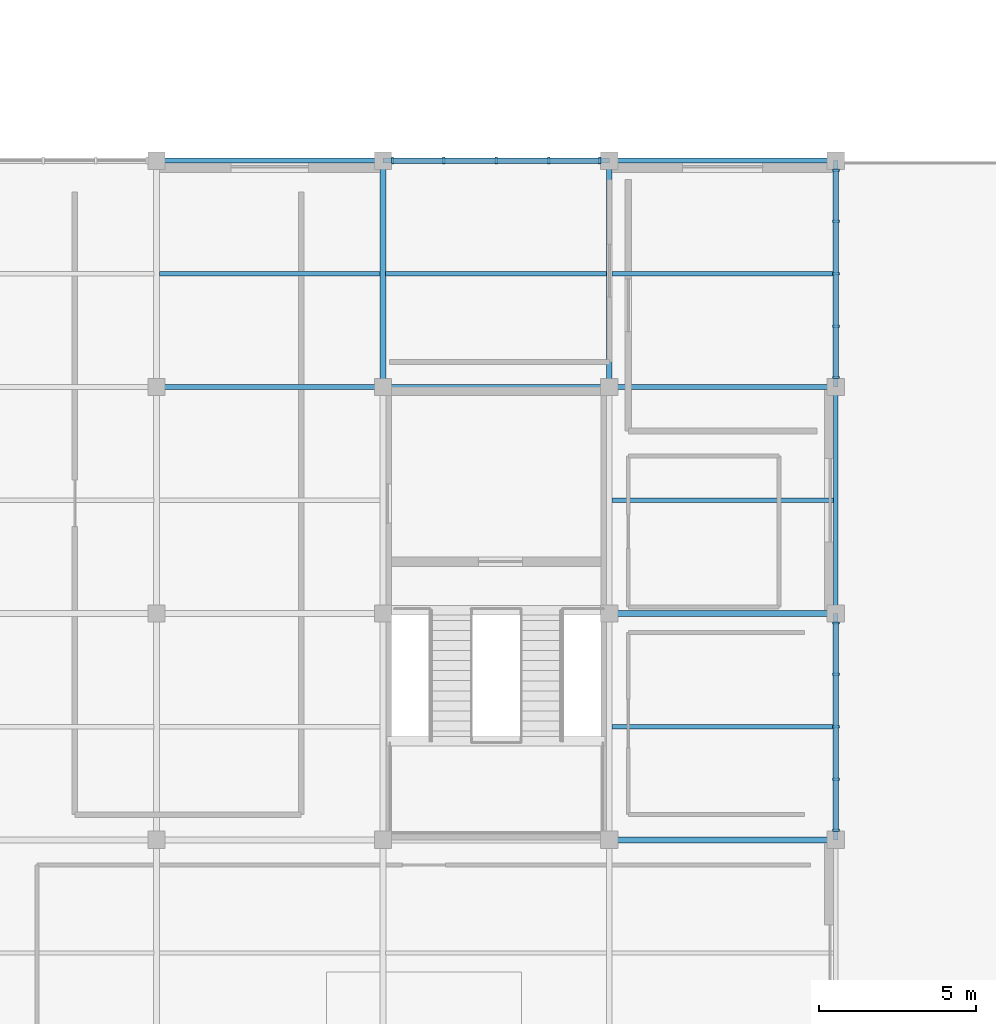
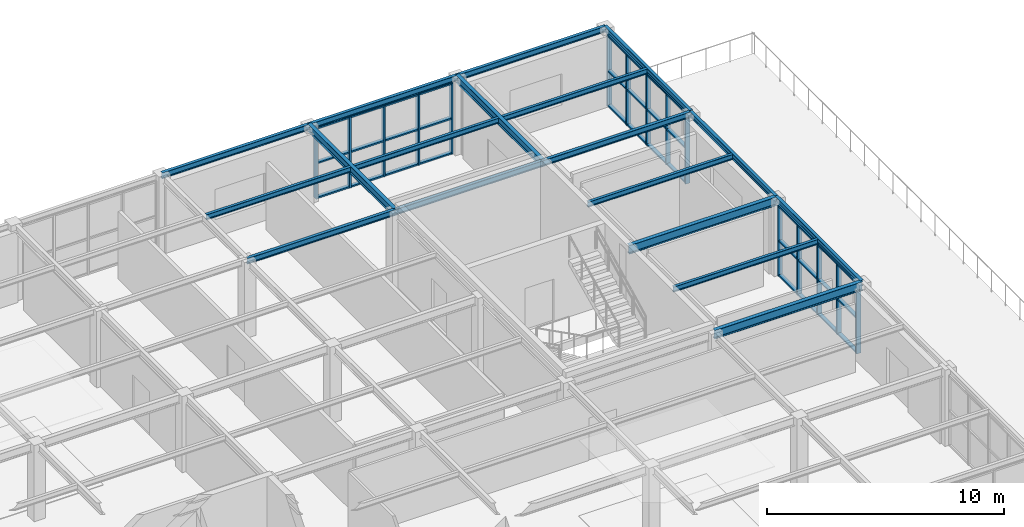
# One storey, part 37 of 64: 24 members, 18 beams, 3 elements without a shape of their own.
"""IFC4 building model written with IfcOpenShell, lengths in metres."""

from ifc_helpers import new_model, si_unit, direction, frame, origin, origin_2d, place, context, subcontext, project, spatial, rectangle, i_section, extrude, material, material_profile, profile_set, type_object, element, aggregate, save


model = new_model("IFC4")

# Units and contexts
model_context = context("Model", 3, precision=1e-05, world=origin(), true_north=direction((0.0, 1.0)))
body_context = subcontext(model_context, "Body", "Model", "MODEL_VIEW")
ifc_project = project(units=[si_unit("LENGTHUNIT", "METRE"), si_unit("AREAUNIT", "SQUARE_METRE"), si_unit("VOLUMEUNIT", "CUBIC_METRE"), si_unit("PLANEANGLEUNIT", "RADIAN"), si_unit("MASSUNIT", "GRAM", prefix="KILO")], contexts=[model_context])

# Site, building, storey
site_placement = place(None, origin())
site = spatial("IfcSite", under=ifc_project, at=site_placement, CompositionType="ELEMENT")
building_placement = place(site_placement, origin())
building = spatial("IfcBuilding", under=site, at=building_placement, Name="Leyfeld Transit Interchange", CompositionType="ELEMENT")
storey_placement = place(building_placement, frame((0.0, 0.0, 9.60009765625)))
storey = spatial("IfcBuildingStorey", under=building, at=storey_placement, Name="L02", CompositionType="ELEMENT", Elevation=9.60009765625)

# Beams
ifc_material_1 = material(Name="Steel S355J2", Category="steel")
ifc_material_profile_1 = material_profile(ifc_material_1, i_section(OverallWidth=0.135009765625, OverallDepth=0.27001953125, WebThickness=0.006591796875, FlangeThickness=0.01025390625, FilletRadius=0.014892578125, at=origin_2d()), Name="IPE 270")
ifc_profile_set_1 = profile_set([ifc_material_profile_1], Name="Steel S355J2")
beam_type_1 = type_object("IfcBeamType", Name="BM-STL-IPE270", PredefinedType="BEAM", material=ifc_profile_set_1)
for number, where, z_axis, x_axis, name in (
    (1, (172.886962890625, 75.60009765625, 3.784912109375), (1.0, 0.0, 0.0), (0.0, 1.0, 0.0), "Beam BM-L02-1729_0756-1799_0756"),
    (2, (172.886962890625, 82.800048828125, 3.784912109375), (1.0, 0.0, 0.0), (0.0, 1.0, 0.0), "Beam BM-L02-1729_0828-1799_0828"),
):
    element("IfcBeam", number, at=place(storey_placement, frame(where, z_axis=z_axis, x_axis=x_axis)), inside=storey, type_object=beam_type_1, Name=name, PredefinedType="BEAM", context=body_context, shape_type="SweptSolid", body=[
        extrude(i_section(OverallWidth=0.135009765625, OverallDepth=0.27001953125, WebThickness=0.006591796875, FlangeThickness=0.01025390625, FilletRadius=0.014892578125, at=origin_2d()), origin(), (0.0, 0.0, 1.0), 7.041015625),
    ])
for number, where, z_axis, x_axis, name in (
    (3, (158.487060546875, 90.0, 3.81494140625), (1.0, 0.0, 0.0), (0.0, 1.0, 0.0), "Beam BM-L02-1585_0900-1655_0900"),
    (4, (165.68701171875, 90.0, 3.81494140625), (1.0, 0.0, 0.0), (0.0, 1.0, 0.0), "Beam BM-L02-1657_0900-1727_0900"),
):
    element("IfcBeam", number, at=place(storey_placement, frame(where, z_axis=z_axis, x_axis=x_axis)), inside=storey, type_object=beam_type_1, Name=name, PredefinedType="BEAM", context=body_context, shape_type="SweptSolid", body=[
        extrude(i_section(OverallWidth=0.135009765625, OverallDepth=0.27001953125, WebThickness=0.006591796875, FlangeThickness=0.01025390625, FilletRadius=0.014892578125, at=origin_2d()), origin(), (0.0, 0.0, 1.0), 7.02587890625),
    ])
beam_1_placement = place(storey_placement, frame((172.886962890625, 90.0, 3.81494140625), z_axis=(1.0, 0.0, 0.0), x_axis=(0.0, 1.0, 0.0)))
element("IfcBeam", 5, at=beam_1_placement, inside=storey, type_object=beam_type_1, Name="Beam BM-L02-1729_0900-1799_0900", PredefinedType="BEAM", context=body_context, shape_type="SweptSolid", body=[
    extrude(i_section(OverallWidth=0.135009765625, OverallDepth=0.27001953125, WebThickness=0.006591796875, FlangeThickness=0.01025390625, FilletRadius=0.014892578125, at=origin_2d()), origin(), (0.0, 0.0, 1.0), 7.041015625),
])
ifc_material_profile_2 = material_profile(ifc_material_1, i_section(OverallWidth=0.14990234375, OverallDepth=0.300048828125, WebThickness=0.007080078125, FlangeThickness=0.0107421875, FilletRadius=0.014892578125, at=origin_2d()), Name="IPE 300")
ifc_profile_set_2 = profile_set([ifc_material_profile_2], Name="Steel S355J2")
beam_type_2 = type_object("IfcBeamType", Name="BM-STL-IPE300", PredefinedType="SPANDREL", material=ifc_profile_set_2)
for number, where, z_axis, x_axis, name in (
    (6, (180.0, 72.0, 3.77001953125), (0.0, 1.0, 0.0), (-1.0, 0.0, 0.0), "Beam BM-L02-1800_0720-1800_0792"),
    (7, (180.0, 79.199951171875, 3.77001953125), (0.0, 1.0, 0.0), (-1.0, 0.0, 0.0), "Beam BM-L02-1800_0792-1800_0864"),
):
    element("IfcBeam", number, at=place(storey_placement, frame(where, z_axis=z_axis, x_axis=x_axis)), inside=storey, type_object=beam_type_2, Name=name, PredefinedType="SPANDREL", context=body_context, shape_type="SweptSolid", body=[
        extrude(i_section(OverallWidth=0.14990234375, OverallDepth=0.300048828125, WebThickness=0.007080078125, FlangeThickness=0.0107421875, FilletRadius=0.014892578125, at=origin_2d()), origin(), (0.0, 0.0, 1.0), 7.199951171875),
    ])
beam_2_placement = place(storey_placement, frame((158.39990234375, 86.39990234375, 3.77001953125), z_axis=(1.0, 0.0, 0.0), x_axis=(0.0, 1.0, 0.0)))
element("IfcBeam", 8, at=beam_2_placement, inside=storey, type_object=beam_type_2, Name="Beam BM-L02-1584_0864-1656_0864", PredefinedType="SPANDREL", context=body_context, shape_type="SweptSolid", body=[
    extrude(i_section(OverallWidth=0.14990234375, OverallDepth=0.300048828125, WebThickness=0.007080078125, FlangeThickness=0.0107421875, FilletRadius=0.014892578125, at=origin_2d()), origin(), (0.0, 0.0, 1.0), 7.2001953125),
])
for number, where, z_axis, x_axis, name in (
    (9, (165.60009765625, 86.39990234375, 3.77001953125), (1.0, 0.0, 0.0), (0.0, 1.0, 0.0), "Beam BM-L02-1656_0864-1728_0864"),
    (10, (172.800048828125, 86.39990234375, 3.77001953125), (1.0, 0.0, 0.0), (0.0, 1.0, 0.0), "Beam BM-L02-1728_0864-1800_0864"),
):
    element("IfcBeam", number, at=place(storey_placement, frame(where, z_axis=z_axis, x_axis=x_axis)), inside=storey, type_object=beam_type_2, Name=name, PredefinedType="SPANDREL", context=body_context, shape_type="SweptSolid", body=[
        extrude(i_section(OverallWidth=0.14990234375, OverallDepth=0.300048828125, WebThickness=0.007080078125, FlangeThickness=0.0107421875, FilletRadius=0.014892578125, at=origin_2d()), origin(), (0.0, 0.0, 1.0), 7.199951171875),
    ])
for number, where, z_axis, x_axis, name in (
    (11, (180.0, 86.39990234375, 3.7998046875), (0.0, 1.0, 0.0), (-1.0, 0.0, 0.0), "Beam BM-L02-1800_0864-1800_0936"),
    (12, (158.39990234375, 93.60009765625, 3.7998046875), (1.0, 0.0, 0.0), (0.0, 1.0, 0.0), "Beam BM-L02-1584_0936-1656_0936"),
):
    element("IfcBeam", number, at=place(storey_placement, frame(where, z_axis=z_axis, x_axis=x_axis)), inside=storey, type_object=beam_type_2, Name=name, PredefinedType="SPANDREL", context=body_context, shape_type="SweptSolid", body=[
        extrude(i_section(OverallWidth=0.14990234375, OverallDepth=0.300048828125, WebThickness=0.007080078125, FlangeThickness=0.0107421875, FilletRadius=0.014892578125, at=origin_2d()), origin(), (0.0, 0.0, 1.0), 7.2001953125),
    ])
for number, where, z_axis, x_axis, name in (
    (13, (165.60009765625, 93.60009765625, 3.7998046875), (1.0, 0.0, 0.0), (0.0, 1.0, 0.0), "Beam BM-L02-1656_0936-1728_0936"),
    (14, (172.800048828125, 93.60009765625, 3.7998046875), (1.0, 0.0, 0.0), (0.0, 1.0, 0.0), "Beam BM-L02-1728_0936-1800_0936"),
):
    element("IfcBeam", number, at=place(storey_placement, frame(where, z_axis=z_axis, x_axis=x_axis)), inside=storey, type_object=beam_type_2, Name=name, PredefinedType="SPANDREL", context=body_context, shape_type="SweptSolid", body=[
        extrude(i_section(OverallWidth=0.14990234375, OverallDepth=0.300048828125, WebThickness=0.007080078125, FlangeThickness=0.0107421875, FilletRadius=0.014892578125, at=origin_2d()), origin(), (0.0, 0.0, 1.0), 7.199951171875),
    ])
ifc_material_profile_3 = material_profile(ifc_material_1, i_section(OverallWidth=0.179931640625, OverallDepth=0.39990234375, WebThickness=0.008544921875, FlangeThickness=0.013427734375, FilletRadius=0.02099609375, at=origin_2d()), Name="IPE 400")
ifc_profile_set_3 = profile_set([ifc_material_profile_3], Name="Steel S355J2")
beam_type_3 = type_object("IfcBeamType", Name="BM-STL-IPE400", PredefinedType="BEAM", material=ifc_profile_set_3)
for number, where, z_axis, x_axis, name in (
    (15, (165.60009765625, 86.39990234375, 3.75), (0.0, 1.0, 0.0), (-1.0, 0.0, 0.0), "Beam BM-L02-1656_0864-1656_0936"),
    (16, (172.800048828125, 86.39990234375, 3.75), (0.0, 1.0, 0.0), (-1.0, 0.0, 0.0), "Beam BM-L02-1728_0864-1728_0936"),
):
    element("IfcBeam", number, at=place(storey_placement, frame(where, z_axis=z_axis, x_axis=x_axis)), inside=storey, type_object=beam_type_3, Name=name, PredefinedType="BEAM", context=body_context, shape_type="SweptSolid", body=[
        extrude(i_section(OverallWidth=0.179931640625, OverallDepth=0.39990234375, WebThickness=0.008544921875, FlangeThickness=0.013427734375, FilletRadius=0.02099609375, at=origin_2d()), origin(), (0.0, 0.0, 1.0), 7.2001953125),
    ])
ifc_material_profile_4 = material_profile(ifc_material_1, i_section(OverallWidth=0.18994140625, OverallDepth=0.449951171875, WebThickness=0.009521484375, FlangeThickness=0.0146484375, FilletRadius=0.02099609375, at=origin_2d()), Name="IPE 450")
ifc_profile_set_4 = profile_set([ifc_material_profile_4], Name="Steel S355J2")
beam_type_4 = type_object("IfcBeamType", Name="BM-STL-IPE450", PredefinedType="BEAM", material=ifc_profile_set_4)
for number, where, z_axis, x_axis, name in (
    (17, (172.800048828125, 72.0, 3.69482421875), (1.0, 0.0, 0.0), (0.0, 1.0, 0.0), "Beam BM-L02-1728_0720-1800_0720"),
    (18, (172.800048828125, 79.199951171875, 3.69482421875), (1.0, 0.0, 0.0), (0.0, 1.0, 0.0), "Beam BM-L02-1728_0792-1800_0792"),
):
    element("IfcBeam", number, at=place(storey_placement, frame(where, z_axis=z_axis, x_axis=x_axis)), inside=storey, type_object=beam_type_4, Name=name, PredefinedType="BEAM", context=body_context, shape_type="SweptSolid", body=[
        extrude(i_section(OverallWidth=0.18994140625, OverallDepth=0.449951171875, WebThickness=0.009521484375, FlangeThickness=0.0146484375, FilletRadius=0.02099609375, at=origin_2d()), origin(), (0.0, 0.0, 1.0), 7.199951171875),
    ])

# Curtain wall, members
ifc_material_2 = material(Name="Anodised aluminium EN AW-6060 T66", Category="aluminium")
curtain_wall_type = type_object("IfcCurtainWallType", Name="CW-SYS-BUS-7200", PredefinedType="NOTDEFINED", material=ifc_material_2)
curtain_wall_1_placement = place(storey_placement, origin())
curtain_wall_1 = element("IfcCurtainWall", 19, at=curtain_wall_1_placement, inside=storey, type_object=curtain_wall_type, Name="Curtain Wall CW-L02-114", PredefinedType="NOTDEFINED")
ifc_material_profile_5 = material_profile(ifc_material_2, rectangle(XDim=0.074951171875, YDim=0.219970703125, at=origin_2d()), Name="CW-M 75x220")
ifc_profile_set_5 = profile_set([ifc_material_profile_5], Name="Anodised aluminium EN AW-6060 T66")
member_type_1 = type_object("IfcMemberType", Name="CW-MUL-180x70", PredefinedType="MULLION", material=ifc_profile_set_5)
member_1_placement = place(storey_placement, frame((165.902587890625, 93.60009765625, 0.0), z_axis=(0.0, 0.0, 1.0), x_axis=(1.0, 0.0, 0.0)))
member_1 = element("IfcMember", 20, at=member_1_placement, type_object=member_type_1, Name="Curtain Mullion CW-L02-114-M01", PredefinedType="MULLION", context=body_context, shape_type="SweptSolid", body=[
    extrude(rectangle(XDim=0.074951171875, YDim=0.219970703125, at=origin_2d()), origin(), (0.0, 0.0, 1.0), 3.64990234375),
])
member_2_placement = place(storey_placement, frame((167.532470703125, 93.60009765625, 0.0), z_axis=(0.0, 0.0, 1.0), x_axis=(1.0, 0.0, 0.0)))
member_2 = element("IfcMember", 21, at=member_2_placement, type_object=member_type_1, Name="Curtain Mullion CW-L02-114-M02", PredefinedType="MULLION", context=body_context, shape_type="SweptSolid", body=[
    extrude(rectangle(XDim=0.074951171875, YDim=0.219970703125, at=origin_2d()), origin(), (0.0, 0.0, 1.0), 3.64990234375),
])
member_3_placement = place(storey_placement, frame((169.199951171875, 93.60009765625, 0.0), z_axis=(0.0, 0.0, 1.0), x_axis=(1.0, 0.0, 0.0)))
member_3 = element("IfcMember", 22, at=member_3_placement, type_object=member_type_1, Name="Curtain Mullion CW-L02-114-M03", PredefinedType="MULLION", context=body_context, shape_type="SweptSolid", body=[
    extrude(rectangle(XDim=0.074951171875, YDim=0.219970703125, at=origin_2d()), origin(), (0.0, 0.0, 1.0), 3.64990234375),
])
member_4_placement = place(storey_placement, frame((170.867431640625, 93.60009765625, 0.0), z_axis=(0.0, 0.0, 1.0), x_axis=(1.0, 0.0, 0.0)))
member_4 = element("IfcMember", 23, at=member_4_placement, type_object=member_type_1, Name="Curtain Mullion CW-L02-114-M04", PredefinedType="MULLION", context=body_context, shape_type="SweptSolid", body=[
    extrude(rectangle(XDim=0.074951171875, YDim=0.219970703125, at=origin_2d()), origin(), (0.0, 0.0, 1.0), 3.64990234375),
])
member_5_placement = place(storey_placement, frame((172.49755859375, 93.60009765625, 0.0), z_axis=(0.0, 0.0, 1.0), x_axis=(1.0, 0.0, 0.0)))
member_5 = element("IfcMember", 24, at=member_5_placement, type_object=member_type_1, Name="Curtain Mullion CW-L02-114-M05", PredefinedType="MULLION", context=body_context, shape_type="SweptSolid", body=[
    extrude(rectangle(XDim=0.074951171875, YDim=0.219970703125, at=origin_2d()), origin(), (0.0, 0.0, 1.0), 3.64990234375),
])

curtain_wall_2_placement = place(storey_placement, origin())
curtain_wall_2 = element("IfcCurtainWall", 25, at=curtain_wall_2_placement, inside=storey, type_object=curtain_wall_type, Name="Curtain Wall CW-L02-115", PredefinedType="NOTDEFINED")
member_6_placement = place(storey_placement, frame((180.0, 93.297607421875, 0.0), z_axis=(0.0, 0.0, 1.0), x_axis=(0.0, -1.0, 0.0)))
member_6 = element("IfcMember", 26, at=member_6_placement, type_object=member_type_1, Name="Curtain Mullion CW-L02-115-M01", PredefinedType="MULLION", context=body_context, shape_type="SweptSolid", body=[
    extrude(rectangle(XDim=0.074951171875, YDim=0.219970703125, at=origin_2d()), origin(), (0.0, 0.0, 1.0), 3.64990234375),
])
member_7_placement = place(storey_placement, frame((180.0, 91.66748046875, 0.0), z_axis=(0.0, 0.0, 1.0), x_axis=(0.0, -1.0, 0.0)))
member_7 = element("IfcMember", 27, at=member_7_placement, type_object=member_type_1, Name="Curtain Mullion CW-L02-115-M02", PredefinedType="MULLION", context=body_context, shape_type="SweptSolid", body=[
    extrude(rectangle(XDim=0.074951171875, YDim=0.219970703125, at=origin_2d()), origin(), (0.0, 0.0, 1.0), 3.64990234375),
])
member_8_placement = place(storey_placement, frame((180.0, 90.0, 0.0), z_axis=(0.0, 0.0, 1.0), x_axis=(0.0, -1.0, 0.0)))
member_8 = element("IfcMember", 28, at=member_8_placement, type_object=member_type_1, Name="Curtain Mullion CW-L02-115-M03", PredefinedType="MULLION", context=body_context, shape_type="SweptSolid", body=[
    extrude(rectangle(XDim=0.074951171875, YDim=0.219970703125, at=origin_2d()), origin(), (0.0, 0.0, 1.0), 3.64990234375),
])
member_9_placement = place(storey_placement, frame((180.0, 88.33251953125, 0.0), z_axis=(0.0, 0.0, 1.0), x_axis=(0.0, -1.0, 0.0)))
member_9 = element("IfcMember", 29, at=member_9_placement, type_object=member_type_1, Name="Curtain Mullion CW-L02-115-M04", PredefinedType="MULLION", context=body_context, shape_type="SweptSolid", body=[
    extrude(rectangle(XDim=0.074951171875, YDim=0.219970703125, at=origin_2d()), origin(), (0.0, 0.0, 1.0), 3.64990234375),
])
member_10_placement = place(storey_placement, frame((180.0, 86.702392578125, 0.0), z_axis=(0.0, 0.0, 1.0), x_axis=(0.0, -1.0, 0.0)))
member_10 = element("IfcMember", 30, at=member_10_placement, type_object=member_type_1, Name="Curtain Mullion CW-L02-115-M05", PredefinedType="MULLION", context=body_context, shape_type="SweptSolid", body=[
    extrude(rectangle(XDim=0.074951171875, YDim=0.219970703125, at=origin_2d()), origin(), (0.0, 0.0, 1.0), 3.64990234375),
])

curtain_wall_3_placement = place(storey_placement, origin())
curtain_wall_3 = element("IfcCurtainWall", 31, at=curtain_wall_3_placement, inside=storey, type_object=curtain_wall_type, Name="Curtain Wall CW-L02-116", PredefinedType="NOTDEFINED")
member_11_placement = place(storey_placement, frame((180.0, 78.8974609375, 0.0), z_axis=(0.0, 0.0, 1.0), x_axis=(0.0, -1.0, 0.0)))
member_11 = element("IfcMember", 32, at=member_11_placement, type_object=member_type_1, Name="Curtain Mullion CW-L02-116-M01", PredefinedType="MULLION", context=body_context, shape_type="SweptSolid", body=[
    extrude(rectangle(XDim=0.074951171875, YDim=0.219970703125, at=origin_2d()), origin(), (0.0, 0.0, 1.0), 3.619873046875),
])
member_12_placement = place(storey_placement, frame((180.0, 77.267578125, 0.0), z_axis=(0.0, 0.0, 1.0), x_axis=(0.0, -1.0, 0.0)))
member_12 = element("IfcMember", 33, at=member_12_placement, type_object=member_type_1, Name="Curtain Mullion CW-L02-116-M02", PredefinedType="MULLION", context=body_context, shape_type="SweptSolid", body=[
    extrude(rectangle(XDim=0.074951171875, YDim=0.219970703125, at=origin_2d()), origin(), (0.0, 0.0, 1.0), 3.619873046875),
])
member_13_placement = place(storey_placement, frame((180.0, 75.60009765625, 0.0), z_axis=(0.0, 0.0, 1.0), x_axis=(0.0, -1.0, 0.0)))
member_13 = element("IfcMember", 34, at=member_13_placement, type_object=member_type_1, Name="Curtain Mullion CW-L02-116-M03", PredefinedType="MULLION", context=body_context, shape_type="SweptSolid", body=[
    extrude(rectangle(XDim=0.074951171875, YDim=0.219970703125, at=origin_2d()), origin(), (0.0, 0.0, 1.0), 3.619873046875),
])
member_14_placement = place(storey_placement, frame((180.0, 73.9326171875, 0.0), z_axis=(0.0, 0.0, 1.0), x_axis=(0.0, -1.0, 0.0)))
member_14 = element("IfcMember", 35, at=member_14_placement, type_object=member_type_1, Name="Curtain Mullion CW-L02-116-M04", PredefinedType="MULLION", context=body_context, shape_type="SweptSolid", body=[
    extrude(rectangle(XDim=0.074951171875, YDim=0.219970703125, at=origin_2d()), origin(), (0.0, 0.0, 1.0), 3.619873046875),
])
member_15_placement = place(storey_placement, frame((180.0, 72.302490234375, 0.0), z_axis=(0.0, 0.0, 1.0), x_axis=(0.0, -1.0, 0.0)))
member_15 = element("IfcMember", 36, at=member_15_placement, type_object=member_type_1, Name="Curtain Mullion CW-L02-116-M05", PredefinedType="MULLION", context=body_context, shape_type="SweptSolid", body=[
    extrude(rectangle(XDim=0.074951171875, YDim=0.219970703125, at=origin_2d()), origin(), (0.0, 0.0, 1.0), 3.619873046875),
])

# Member
ifc_material_profile_6 = material_profile(ifc_material_2, rectangle(XDim=0.179931640625, YDim=0.074951171875, at=origin_2d()), Name="CW-TRN-160x70")
ifc_profile_set_6 = profile_set([ifc_material_profile_6], Name="Anodised aluminium EN AW-6060 T66")
member_type_2 = type_object("IfcMemberType", Name="CW-TRN-160x70", PredefinedType="USERDEFINED", material=ifc_profile_set_6)
member_16_placement = place(storey_placement, frame((165.864990234375, 93.60009765625, 0.037353515625), z_axis=(1.0, 0.0, 0.0), x_axis=(0.0, 1.0, 0.0)))
member_16 = element("IfcMember", 37, at=member_16_placement, type_object=member_type_2, Name="Curtain Transom CW-L02-114-T01", ObjectType="TRANSOM", PredefinedType="USERDEFINED", context=body_context, shape_type="SweptSolid", body=[
    extrude(rectangle(XDim=0.179931640625, YDim=0.074951171875, at=origin_2d()), origin(), (0.0, 0.0, 1.0), 6.669921875),
])

member_17_placement = place(storey_placement, frame((165.864990234375, 93.60009765625, 1.824951171875), z_axis=(1.0, 0.0, 0.0), x_axis=(0.0, 1.0, 0.0)))
member_17 = element("IfcMember", 38, at=member_17_placement, type_object=member_type_2, Name="Curtain Transom CW-L02-114-T02", ObjectType="TRANSOM", PredefinedType="USERDEFINED", context=body_context, shape_type="SweptSolid", body=[
    extrude(rectangle(XDim=0.179931640625, YDim=0.074951171875, at=origin_2d()), origin(), (0.0, 0.0, 1.0), 6.669921875),
])

member_18_placement = place(storey_placement, frame((165.864990234375, 93.60009765625, 3.6123046875), z_axis=(1.0, 0.0, 0.0), x_axis=(0.0, 1.0, 0.0)))
member_18 = element("IfcMember", 39, at=member_18_placement, type_object=member_type_2, Name="Curtain Transom CW-L02-114-T03", ObjectType="TRANSOM", PredefinedType="USERDEFINED", context=body_context, shape_type="SweptSolid", body=[
    extrude(rectangle(XDim=0.179931640625, YDim=0.074951171875, at=origin_2d()), origin(), (0.0, 0.0, 1.0), 6.669921875),
])

aggregate(curtain_wall_1, [member_1, member_2, member_3, member_4, member_5, member_16, member_17, member_18])

member_19_placement = place(storey_placement, frame((180.0, 93.3349609375, 0.037353515625), z_axis=(0.0, -1.0, 0.0), x_axis=(1.0, 0.0, 0.0)))
member_19 = element("IfcMember", 40, at=member_19_placement, type_object=member_type_2, Name="Curtain Transom CW-L02-115-T01", ObjectType="TRANSOM", PredefinedType="USERDEFINED", context=body_context, shape_type="SweptSolid", body=[
    extrude(rectangle(XDim=0.179931640625, YDim=0.074951171875, at=origin_2d()), origin(), (0.0, 0.0, 1.0), 6.669921875),
])

member_20_placement = place(storey_placement, frame((180.0, 93.3349609375, 1.824951171875), z_axis=(0.0, -1.0, 0.0), x_axis=(1.0, 0.0, 0.0)))
member_20 = element("IfcMember", 41, at=member_20_placement, type_object=member_type_2, Name="Curtain Transom CW-L02-115-T02", ObjectType="TRANSOM", PredefinedType="USERDEFINED", context=body_context, shape_type="SweptSolid", body=[
    extrude(rectangle(XDim=0.179931640625, YDim=0.074951171875, at=origin_2d()), origin(), (0.0, 0.0, 1.0), 6.669921875),
])

member_21_placement = place(storey_placement, frame((180.0, 93.3349609375, 3.6123046875), z_axis=(0.0, -1.0, 0.0), x_axis=(1.0, 0.0, 0.0)))
member_21 = element("IfcMember", 42, at=member_21_placement, type_object=member_type_2, Name="Curtain Transom CW-L02-115-T03", ObjectType="TRANSOM", PredefinedType="USERDEFINED", context=body_context, shape_type="SweptSolid", body=[
    extrude(rectangle(XDim=0.179931640625, YDim=0.074951171875, at=origin_2d()), origin(), (0.0, 0.0, 1.0), 6.669921875),
])

aggregate(curtain_wall_2, [member_6, member_7, member_8, member_9, member_10, member_19, member_20, member_21])

member_22_placement = place(storey_placement, frame((180.0, 78.93505859375, 0.037353515625), z_axis=(0.0, -1.0, 0.0), x_axis=(1.0, 0.0, 0.0)))
member_22 = element("IfcMember", 43, at=member_22_placement, type_object=member_type_2, Name="Curtain Transom CW-L02-116-T01", ObjectType="TRANSOM", PredefinedType="USERDEFINED", context=body_context, shape_type="SweptSolid", body=[
    extrude(rectangle(XDim=0.179931640625, YDim=0.074951171875, at=origin_2d()), origin(), (0.0, 0.0, 1.0), 6.670166015625),
])

member_23_placement = place(storey_placement, frame((180.0, 78.93505859375, 1.809814453125), z_axis=(0.0, -1.0, 0.0), x_axis=(1.0, 0.0, 0.0)))
member_23 = element("IfcMember", 44, at=member_23_placement, type_object=member_type_2, Name="Curtain Transom CW-L02-116-T02", ObjectType="TRANSOM", PredefinedType="USERDEFINED", context=body_context, shape_type="SweptSolid", body=[
    extrude(rectangle(XDim=0.179931640625, YDim=0.074951171875, at=origin_2d()), origin(), (0.0, 0.0, 1.0), 6.670166015625),
])

member_24_placement = place(storey_placement, frame((180.0, 78.93505859375, 3.58251953125), z_axis=(0.0, -1.0, 0.0), x_axis=(1.0, 0.0, 0.0)))
member_24 = element("IfcMember", 45, at=member_24_placement, type_object=member_type_2, Name="Curtain Transom CW-L02-116-T03", ObjectType="TRANSOM", PredefinedType="USERDEFINED", context=body_context, shape_type="SweptSolid", body=[
    extrude(rectangle(XDim=0.179931640625, YDim=0.074951171875, at=origin_2d()), origin(), (0.0, 0.0, 1.0), 6.670166015625),
])

aggregate(curtain_wall_3, [member_11, member_12, member_13, member_14, member_15, member_22, member_23, member_24])

save(model, "model.ifc")
